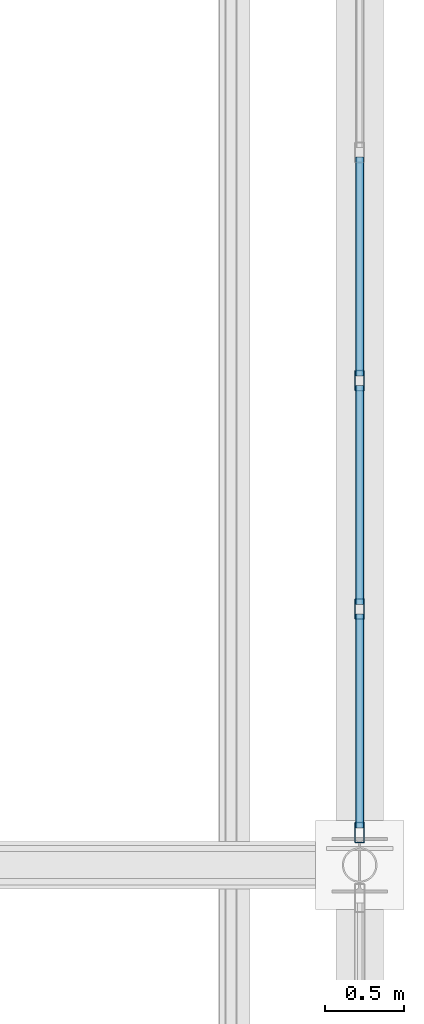
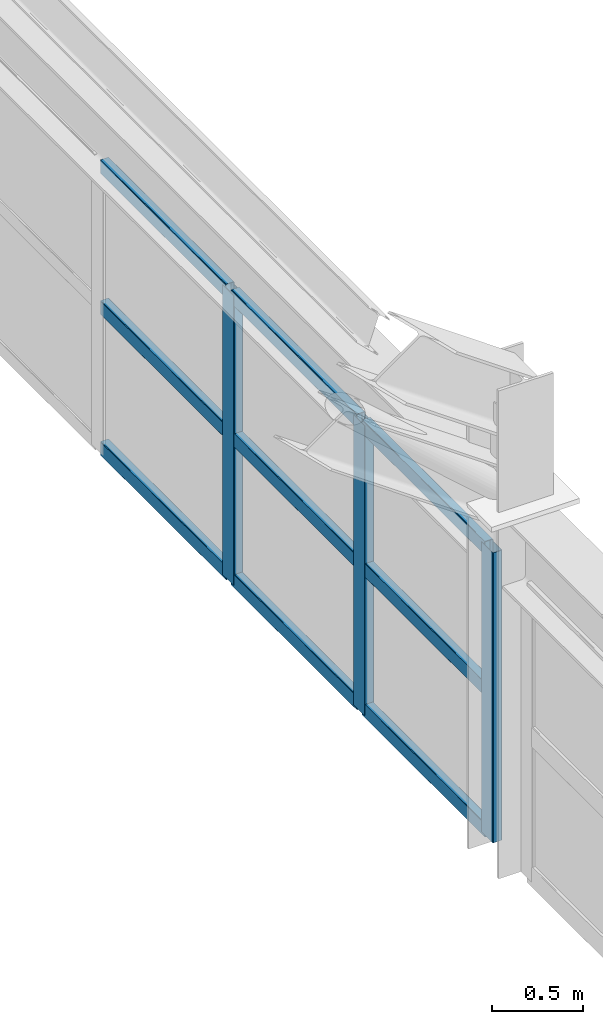
# One storey, part 56 of 121: 12 members, 1 element without a shape of its own.
"""IFC4 building model written with IfcOpenShell, lengths in metres."""

from ifc_helpers import new_model, si_unit, direction, frame, origin, origin_2d, place, context, subcontext, project, spatial, hollow_rectangle, extrude, material, material_profile, profile_set, type_object, element, aggregate, save


model = new_model("IFC4")

# Units and contexts
model_context = context("Model", 3, precision=1e-05, world=origin(), true_north=direction((0.0, 1.0)))
body_context = subcontext(model_context, "Body", "Model", "MODEL_VIEW")
ifc_project = project(units=[si_unit("LENGTHUNIT", "METRE"), si_unit("AREAUNIT", "SQUARE_METRE"), si_unit("VOLUMEUNIT", "CUBIC_METRE"), si_unit("PLANEANGLEUNIT", "RADIAN"), si_unit("MASSUNIT", "GRAM", prefix="KILO")], contexts=[model_context])

# Site, building, storey
site_placement = place(None, origin())
site = spatial("IfcSite", under=ifc_project, at=site_placement, CompositionType="ELEMENT")
building_placement = place(site_placement, origin())
building = spatial("IfcBuilding", under=site, at=building_placement, Name="Canglan Escarpment Cableway Terminal", CompositionType="ELEMENT")
storey_placement = place(building_placement, frame((0.0, 0.0, 24.60009765625)))
storey = spatial("IfcBuildingStorey", under=building, at=storey_placement, Name="L05", CompositionType="ELEMENT", Elevation=24.60009765625)

# Curtain wall, members
ifc_material_1 = material(Name="Anodized bronze aluminium and Low-E double glazing", Category="aluminium")
curtain_wall_type = type_object("IfcCurtainWallType", Name="CW-BAY-8650x1950", PredefinedType="NOTDEFINED", material=ifc_material_1)
curtain_wall_placement = place(storey_placement, origin())
curtain_wall = element("IfcCurtainWall", 1, at=curtain_wall_placement, inside=storey, type_object=curtain_wall_type, Name="Classical bay-between-piers glazed curtain wall CW-66", PredefinedType="NOTDEFINED")
ifc_material_2 = material(Name="Thermally broken anodized aluminium 6063-T6", Category="aluminium")
ifc_material_profile_1 = material_profile(ifc_material_2, hollow_rectangle(XDim=0.06005859375, YDim=0.1298828125, WallThickness=0.0029296875, InnerFilletRadius=0.0029296875, OuterFilletRadius=0.006103515625, at=origin_2d()), Name="ALU-MULL 60x130x3")
ifc_profile_set_1 = profile_set([ifc_material_profile_1], Name="Thermally broken anodized aluminium 6063-T6")
member_type_1 = type_object("IfcMemberType", Name="CWM-01", PredefinedType="MULLION", material=ifc_profile_set_1)
member_1_placement = place(storey_placement, frame((166.39990234375, 79.205078125, 0.0), z_axis=(0.0, 0.0, 1.0), x_axis=(-1.0, 0.0, 0.0)))
member_1 = element("IfcMember", 2, at=member_1_placement, type_object=member_type_1, Name="CW-66 mullion 1", PredefinedType="MULLION", context=body_context, shape_type="SweptSolid", body=[
    extrude(hollow_rectangle(XDim=0.06005859375, YDim=0.1298828125, WallThickness=0.0029296875, InnerFilletRadius=0.0029296875, OuterFilletRadius=0.006103515625, at=origin_2d()), origin(), (0.0, 0.0, 1.0), 1.949951171875),
])
member_2_placement = place(storey_placement, frame((166.39990234375, 80.61669921875, 0.0), z_axis=(0.0, 0.0, 1.0), x_axis=(-1.0, 0.0, 0.0)))
member_2 = element("IfcMember", 3, at=member_2_placement, type_object=member_type_1, Name="CW-66 mullion 2", PredefinedType="MULLION", context=body_context, shape_type="SweptSolid", body=[
    extrude(hollow_rectangle(XDim=0.06005859375, YDim=0.1298828125, WallThickness=0.0029296875, InnerFilletRadius=0.0029296875, OuterFilletRadius=0.006103515625, at=origin_2d()), origin(), (0.0, 0.0, 1.0), 1.949951171875),
])
member_3_placement = place(storey_placement, frame((166.39990234375, 82.058349609375, 0.0), z_axis=(0.0, 0.0, 1.0), x_axis=(-1.0, 0.0, 0.0)))
member_3 = element("IfcMember", 4, at=member_3_placement, type_object=member_type_1, Name="CW-66 mullion 3", PredefinedType="MULLION", context=body_context, shape_type="SweptSolid", body=[
    extrude(hollow_rectangle(XDim=0.06005859375, YDim=0.1298828125, WallThickness=0.0029296875, InnerFilletRadius=0.0029296875, OuterFilletRadius=0.006103515625, at=origin_2d()), origin(), (0.0, 0.0, 1.0), 1.949951171875),
])
ifc_material_profile_2 = material_profile(ifc_material_2, hollow_rectangle(XDim=0.054931640625, YDim=0.094970703125, WallThickness=0.0029296875, InnerFilletRadius=0.0029296875, OuterFilletRadius=0.006103515625, at=origin_2d()), Name="ALU-TRAN 55x95x3")
ifc_profile_set_2 = profile_set([ifc_material_profile_2], Name="Thermally broken anodized aluminium 6063-T6")
member_type_2 = type_object("IfcMemberType", Name="CWT-01", PredefinedType="USERDEFINED", material=ifc_profile_set_2)
member_4_placement = place(storey_placement, frame((166.39990234375, 79.235107421875, 0.02734375), z_axis=(0.0, 1.0, 0.0), x_axis=(-1.0, 0.0, 0.0)))
member_4 = element("IfcMember", 5, at=member_4_placement, type_object=member_type_2, Name="CW-66 transom 1.1", ObjectType="TRANSOM", PredefinedType="USERDEFINED", context=body_context, shape_type="SweptSolid", body=[
    extrude(hollow_rectangle(XDim=0.054931640625, YDim=0.094970703125, WallThickness=0.0029296875, InnerFilletRadius=0.0029296875, OuterFilletRadius=0.006103515625, at=origin_2d()), origin(), (0.0, 0.0, 1.0), 1.3515625),
])
member_5_placement = place(storey_placement, frame((166.39990234375, 79.235107421875, 0.974853515625), z_axis=(0.0, 1.0, 0.0), x_axis=(-1.0, 0.0, 0.0)))
member_5 = element("IfcMember", 6, at=member_5_placement, type_object=member_type_2, Name="CW-66 transom 1.2", ObjectType="TRANSOM", PredefinedType="USERDEFINED", context=body_context, shape_type="SweptSolid", body=[
    extrude(hollow_rectangle(XDim=0.054931640625, YDim=0.094970703125, WallThickness=0.0029296875, InnerFilletRadius=0.0029296875, OuterFilletRadius=0.006103515625, at=origin_2d()), origin(), (0.0, 0.0, 1.0), 1.3515625),
])
member_6_placement = place(storey_placement, frame((166.39990234375, 79.235107421875, 1.92236328125), z_axis=(0.0, 1.0, 0.0), x_axis=(-1.0, 0.0, 0.0)))
member_6 = element("IfcMember", 7, at=member_6_placement, type_object=member_type_2, Name="CW-66 transom 1.3", ObjectType="TRANSOM", PredefinedType="USERDEFINED", context=body_context, shape_type="SweptSolid", body=[
    extrude(hollow_rectangle(XDim=0.054931640625, YDim=0.094970703125, WallThickness=0.0029296875, InnerFilletRadius=0.0029296875, OuterFilletRadius=0.006103515625, at=origin_2d()), origin(), (0.0, 0.0, 1.0), 1.3515625),
])
member_7_placement = place(storey_placement, frame((166.39990234375, 80.646728515625, 0.02734375), z_axis=(0.0, 1.0, 0.0), x_axis=(-1.0, 0.0, 0.0)))
member_7 = element("IfcMember", 8, at=member_7_placement, type_object=member_type_2, Name="CW-66 transom 2.1", ObjectType="TRANSOM", PredefinedType="USERDEFINED", context=body_context, shape_type="SweptSolid", body=[
    extrude(hollow_rectangle(XDim=0.054931640625, YDim=0.094970703125, WallThickness=0.0029296875, InnerFilletRadius=0.0029296875, OuterFilletRadius=0.006103515625, at=origin_2d()), origin(), (0.0, 0.0, 1.0), 1.381591796875),
])
member_8_placement = place(storey_placement, frame((166.39990234375, 80.646728515625, 0.974853515625), z_axis=(0.0, 1.0, 0.0), x_axis=(-1.0, 0.0, 0.0)))
member_8 = element("IfcMember", 9, at=member_8_placement, type_object=member_type_2, Name="CW-66 transom 2.2", ObjectType="TRANSOM", PredefinedType="USERDEFINED", context=body_context, shape_type="SweptSolid", body=[
    extrude(hollow_rectangle(XDim=0.054931640625, YDim=0.094970703125, WallThickness=0.0029296875, InnerFilletRadius=0.0029296875, OuterFilletRadius=0.006103515625, at=origin_2d()), origin(), (0.0, 0.0, 1.0), 1.381591796875),
])
member_9_placement = place(storey_placement, frame((166.39990234375, 80.646728515625, 1.92236328125), z_axis=(0.0, 1.0, 0.0), x_axis=(-1.0, 0.0, 0.0)))
member_9 = element("IfcMember", 10, at=member_9_placement, type_object=member_type_2, Name="CW-66 transom 2.3", ObjectType="TRANSOM", PredefinedType="USERDEFINED", context=body_context, shape_type="SweptSolid", body=[
    extrude(hollow_rectangle(XDim=0.054931640625, YDim=0.094970703125, WallThickness=0.0029296875, InnerFilletRadius=0.0029296875, OuterFilletRadius=0.006103515625, at=origin_2d()), origin(), (0.0, 0.0, 1.0), 1.381591796875),
])
member_10_placement = place(storey_placement, frame((166.39990234375, 82.08837890625, 0.02734375), z_axis=(0.0, 1.0, 0.0), x_axis=(-1.0, 0.0, 0.0)))
member_10 = element("IfcMember", 11, at=member_10_placement, type_object=member_type_2, Name="CW-66 transom 3.1", ObjectType="TRANSOM", PredefinedType="USERDEFINED", context=body_context, shape_type="SweptSolid", body=[
    extrude(hollow_rectangle(XDim=0.054931640625, YDim=0.094970703125, WallThickness=0.0029296875, InnerFilletRadius=0.0029296875, OuterFilletRadius=0.006103515625, at=origin_2d()), origin(), (0.0, 0.0, 1.0), 1.381591796875),
])
member_11_placement = place(storey_placement, frame((166.39990234375, 82.08837890625, 0.974853515625), z_axis=(0.0, 1.0, 0.0), x_axis=(-1.0, 0.0, 0.0)))
member_11 = element("IfcMember", 12, at=member_11_placement, type_object=member_type_2, Name="CW-66 transom 3.2", ObjectType="TRANSOM", PredefinedType="USERDEFINED", context=body_context, shape_type="SweptSolid", body=[
    extrude(hollow_rectangle(XDim=0.054931640625, YDim=0.094970703125, WallThickness=0.0029296875, InnerFilletRadius=0.0029296875, OuterFilletRadius=0.006103515625, at=origin_2d()), origin(), (0.0, 0.0, 1.0), 1.381591796875),
])
member_12_placement = place(storey_placement, frame((166.39990234375, 82.08837890625, 1.92236328125), z_axis=(0.0, 1.0, 0.0), x_axis=(-1.0, 0.0, 0.0)))
member_12 = element("IfcMember", 13, at=member_12_placement, type_object=member_type_2, Name="CW-66 transom 3.3", ObjectType="TRANSOM", PredefinedType="USERDEFINED", context=body_context, shape_type="SweptSolid", body=[
    extrude(hollow_rectangle(XDim=0.054931640625, YDim=0.094970703125, WallThickness=0.0029296875, InnerFilletRadius=0.0029296875, OuterFilletRadius=0.006103515625, at=origin_2d()), origin(), (0.0, 0.0, 1.0), 1.381591796875),
])
aggregate(curtain_wall, [member_1, member_2, member_3, member_4, member_5, member_6, member_7, member_8, member_9, member_10, member_11, member_12])

save(model, "model.ifc")
